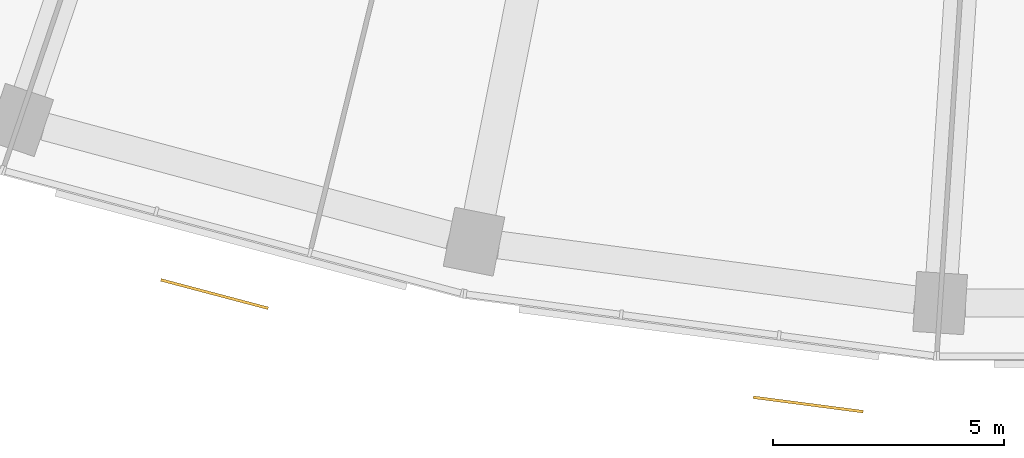
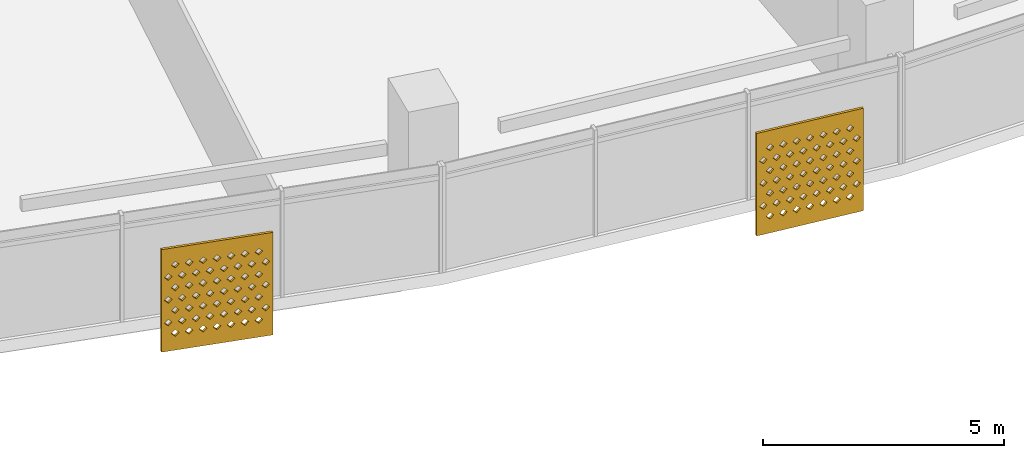
# One storey, part 23 of 26: 2 shading devices.
"""IFC4 building model written with IfcOpenShell, lengths in metres."""

from ifc_helpers import new_model, si_unit, direction, frame, origin, place, context, subcontext, project, spatial, polyline, outline, extrude, material, material_profile, profile_set, type_object, element, save


model = new_model("IFC4")

# Units and contexts
model_context = context("Model", 3, precision=1e-05, world=origin(), true_north=direction((0.0, 1.0)))
body_context = subcontext(model_context, "Body", "Model", "MODEL_VIEW")
ifc_project = project(units=[si_unit("LENGTHUNIT", "METRE"), si_unit("AREAUNIT", "SQUARE_METRE"), si_unit("VOLUMEUNIT", "CUBIC_METRE"), si_unit("PLANEANGLEUNIT", "RADIAN"), si_unit("MASSUNIT", "GRAM", prefix="KILO")], contexts=[model_context])

# Site, building, storey
site_placement = place(None, origin())
site = spatial("IfcSite", under=ifc_project, at=site_placement, CompositionType="ELEMENT")
building_placement = place(site_placement, origin())
building = spatial("IfcBuilding", under=site, at=building_placement, Name="Qamariyya Broadcast Tower", CompositionType="ELEMENT")
storey_placement = place(building_placement, frame((0.0, 0.0, 160.699951171875)))
storey = spatial("IfcBuildingStorey", under=building, at=storey_placement, Name="L37", CompositionType="ELEMENT", Elevation=160.699951171875)

# Shading devices
ifc_material = material(Name="Perforated glazed terracotta", Category="masonry")
ifc_material_profile = material_profile(ifc_material, outline(polyline([(-1.199951171875, -1.300048828125), (1.199951171875, -1.300048828125), (1.199951171875, 1.300048828125), (-1.199951171875, 1.300048828125), (-1.199951171875, -1.300048828125)]), holes=[polyline([(-0.81494140625, -0.86669921875), (-0.89990234375, -0.78173828125), (-0.985107421875, -0.86669921875), (-0.89990234375, -0.95166015625), (-0.81494140625, -0.86669921875)]), polyline([(-0.514892578125, -0.86669921875), (-0.60009765625, -0.78173828125), (-0.68505859375, -0.86669921875), (-0.60009765625, -0.95166015625), (-0.514892578125, -0.86669921875)]), polyline([(-0.215087890625, -0.86669921875), (-0.300048828125, -0.78173828125), (-0.385009765625, -0.86669921875), (-0.300048828125, -0.95166015625), (-0.215087890625, -0.86669921875)]), polyline([(0.0849609375, -0.86669921875), (0.0, -0.78173828125), (-0.0849609375, -0.86669921875), (0.0, -0.95166015625), (0.0849609375, -0.86669921875)]), polyline([(0.385009765625, -0.86669921875), (0.300048828125, -0.78173828125), (0.215087890625, -0.86669921875), (0.300048828125, -0.95166015625), (0.385009765625, -0.86669921875)]), polyline([(0.68505859375, -0.86669921875), (0.60009765625, -0.78173828125), (0.514892578125, -0.86669921875), (0.60009765625, -0.95166015625), (0.68505859375, -0.86669921875)]), polyline([(0.985107421875, -0.86669921875), (0.89990234375, -0.78173828125), (0.81494140625, -0.86669921875), (0.89990234375, -0.95166015625), (0.985107421875, -0.86669921875)]), polyline([(-0.965087890625, -0.577880859375), (-1.050048828125, -0.49267578125), (-1.135009765625, -0.577880859375), (-1.050048828125, -0.662841796875), (-0.965087890625, -0.577880859375)]), polyline([(-0.6650390625, -0.577880859375), (-0.75, -0.49267578125), (-0.8349609375, -0.577880859375), (-0.75, -0.662841796875), (-0.6650390625, -0.577880859375)]), polyline([(-0.364990234375, -0.577880859375), (-0.449951171875, -0.49267578125), (-0.534912109375, -0.577880859375), (-0.449951171875, -0.662841796875), (-0.364990234375, -0.577880859375)]), polyline([(-0.06494140625, -0.577880859375), (-0.14990234375, -0.49267578125), (-0.235107421875, -0.577880859375), (-0.14990234375, -0.662841796875), (-0.06494140625, -0.577880859375)]), polyline([(0.235107421875, -0.577880859375), (0.14990234375, -0.49267578125), (0.06494140625, -0.577880859375), (0.14990234375, -0.662841796875), (0.235107421875, -0.577880859375)]), polyline([(0.534912109375, -0.577880859375), (0.449951171875, -0.49267578125), (0.364990234375, -0.577880859375), (0.449951171875, -0.662841796875), (0.534912109375, -0.577880859375)]), polyline([(0.8349609375, -0.577880859375), (0.75, -0.49267578125), (0.6650390625, -0.577880859375), (0.75, -0.662841796875), (0.8349609375, -0.577880859375)]), polyline([(1.135009765625, -0.577880859375), (1.050048828125, -0.49267578125), (0.965087890625, -0.577880859375), (1.050048828125, -0.662841796875), (1.135009765625, -0.577880859375)]), polyline([(-0.81494140625, -0.288818359375), (-0.89990234375, -0.203857421875), (-0.985107421875, -0.288818359375), (-0.89990234375, -0.373779296875), (-0.81494140625, -0.288818359375)]), polyline([(-0.514892578125, -0.288818359375), (-0.60009765625, -0.203857421875), (-0.68505859375, -0.288818359375), (-0.60009765625, -0.373779296875), (-0.514892578125, -0.288818359375)]), polyline([(-0.215087890625, -0.288818359375), (-0.300048828125, -0.203857421875), (-0.385009765625, -0.288818359375), (-0.300048828125, -0.373779296875), (-0.215087890625, -0.288818359375)]), polyline([(0.0849609375, -0.288818359375), (0.0, -0.203857421875), (-0.0849609375, -0.288818359375), (0.0, -0.373779296875), (0.0849609375, -0.288818359375)]), polyline([(0.385009765625, -0.288818359375), (0.300048828125, -0.203857421875), (0.215087890625, -0.288818359375), (0.300048828125, -0.373779296875), (0.385009765625, -0.288818359375)]), polyline([(0.68505859375, -0.288818359375), (0.60009765625, -0.203857421875), (0.514892578125, -0.288818359375), (0.60009765625, -0.373779296875), (0.68505859375, -0.288818359375)]), polyline([(0.985107421875, -0.288818359375), (0.89990234375, -0.203857421875), (0.81494140625, -0.288818359375), (0.89990234375, -0.373779296875), (0.985107421875, -0.288818359375)]), polyline([(-0.965087890625, 0.0), (-1.050048828125, 0.0849609375), (-1.135009765625, 0.0), (-1.050048828125, -0.0849609375), (-0.965087890625, 0.0)]), polyline([(-0.6650390625, 0.0), (-0.75, 0.0849609375), (-0.8349609375, 0.0), (-0.75, -0.0849609375), (-0.6650390625, 0.0)]), polyline([(-0.364990234375, 0.0), (-0.449951171875, 0.0849609375), (-0.534912109375, 0.0), (-0.449951171875, -0.0849609375), (-0.364990234375, 0.0)]), polyline([(-0.06494140625, 0.0), (-0.14990234375, 0.0849609375), (-0.235107421875, 0.0), (-0.14990234375, -0.0849609375), (-0.06494140625, 0.0)]), polyline([(0.235107421875, 0.0), (0.14990234375, 0.0849609375), (0.06494140625, 0.0), (0.14990234375, -0.0849609375), (0.235107421875, 0.0)]), polyline([(0.534912109375, 0.0), (0.449951171875, 0.0849609375), (0.364990234375, 0.0), (0.449951171875, -0.0849609375), (0.534912109375, 0.0)]), polyline([(0.8349609375, 0.0), (0.75, 0.0849609375), (0.6650390625, 0.0), (0.75, -0.0849609375), (0.8349609375, 0.0)]), polyline([(1.135009765625, 0.0), (1.050048828125, 0.0849609375), (0.965087890625, 0.0), (1.050048828125, -0.0849609375), (1.135009765625, 0.0)]), polyline([(-0.81494140625, 0.288818359375), (-0.89990234375, 0.373779296875), (-0.985107421875, 0.288818359375), (-0.89990234375, 0.203857421875), (-0.81494140625, 0.288818359375)]), polyline([(-0.514892578125, 0.288818359375), (-0.60009765625, 0.373779296875), (-0.68505859375, 0.288818359375), (-0.60009765625, 0.203857421875), (-0.514892578125, 0.288818359375)]), polyline([(-0.215087890625, 0.288818359375), (-0.300048828125, 0.373779296875), (-0.385009765625, 0.288818359375), (-0.300048828125, 0.203857421875), (-0.215087890625, 0.288818359375)]), polyline([(0.0849609375, 0.288818359375), (0.0, 0.373779296875), (-0.0849609375, 0.288818359375), (0.0, 0.203857421875), (0.0849609375, 0.288818359375)]), polyline([(0.385009765625, 0.288818359375), (0.300048828125, 0.373779296875), (0.215087890625, 0.288818359375), (0.300048828125, 0.203857421875), (0.385009765625, 0.288818359375)]), polyline([(0.68505859375, 0.288818359375), (0.60009765625, 0.373779296875), (0.514892578125, 0.288818359375), (0.60009765625, 0.203857421875), (0.68505859375, 0.288818359375)]), polyline([(0.985107421875, 0.288818359375), (0.89990234375, 0.373779296875), (0.81494140625, 0.288818359375), (0.89990234375, 0.203857421875), (0.985107421875, 0.288818359375)]), polyline([(-0.965087890625, 0.577880859375), (-1.050048828125, 0.662841796875), (-1.135009765625, 0.577880859375), (-1.050048828125, 0.49267578125), (-0.965087890625, 0.577880859375)]), polyline([(-0.6650390625, 0.577880859375), (-0.75, 0.662841796875), (-0.8349609375, 0.577880859375), (-0.75, 0.49267578125), (-0.6650390625, 0.577880859375)]), polyline([(-0.364990234375, 0.577880859375), (-0.449951171875, 0.662841796875), (-0.534912109375, 0.577880859375), (-0.449951171875, 0.49267578125), (-0.364990234375, 0.577880859375)]), polyline([(-0.06494140625, 0.577880859375), (-0.14990234375, 0.662841796875), (-0.235107421875, 0.577880859375), (-0.14990234375, 0.49267578125), (-0.06494140625, 0.577880859375)]), polyline([(0.235107421875, 0.577880859375), (0.14990234375, 0.662841796875), (0.06494140625, 0.577880859375), (0.14990234375, 0.49267578125), (0.235107421875, 0.577880859375)]), polyline([(0.534912109375, 0.577880859375), (0.449951171875, 0.662841796875), (0.364990234375, 0.577880859375), (0.449951171875, 0.49267578125), (0.534912109375, 0.577880859375)]), polyline([(0.8349609375, 0.577880859375), (0.75, 0.662841796875), (0.6650390625, 0.577880859375), (0.75, 0.49267578125), (0.8349609375, 0.577880859375)]), polyline([(1.135009765625, 0.577880859375), (1.050048828125, 0.662841796875), (0.965087890625, 0.577880859375), (1.050048828125, 0.49267578125), (1.135009765625, 0.577880859375)]), polyline([(-0.81494140625, 0.86669921875), (-0.89990234375, 0.95166015625), (-0.985107421875, 0.86669921875), (-0.89990234375, 0.78173828125), (-0.81494140625, 0.86669921875)]), polyline([(-0.514892578125, 0.86669921875), (-0.60009765625, 0.95166015625), (-0.68505859375, 0.86669921875), (-0.60009765625, 0.78173828125), (-0.514892578125, 0.86669921875)]), polyline([(-0.215087890625, 0.86669921875), (-0.300048828125, 0.95166015625), (-0.385009765625, 0.86669921875), (-0.300048828125, 0.78173828125), (-0.215087890625, 0.86669921875)]), polyline([(0.0849609375, 0.86669921875), (0.0, 0.95166015625), (-0.0849609375, 0.86669921875), (0.0, 0.78173828125), (0.0849609375, 0.86669921875)]), polyline([(0.385009765625, 0.86669921875), (0.300048828125, 0.95166015625), (0.215087890625, 0.86669921875), (0.300048828125, 0.78173828125), (0.385009765625, 0.86669921875)]), polyline([(0.68505859375, 0.86669921875), (0.60009765625, 0.95166015625), (0.514892578125, 0.86669921875), (0.60009765625, 0.78173828125), (0.68505859375, 0.86669921875)]), polyline([(0.985107421875, 0.86669921875), (0.89990234375, 0.95166015625), (0.81494140625, 0.86669921875), (0.89990234375, 0.78173828125), (0.985107421875, 0.86669921875)])]))
ifc_profile_set = profile_set([ifc_material_profile], Name="Perforated glazed terracotta")
shading_device_type = type_object("IfcShadingDeviceType", Name="Perforated terracotta screen 2400 x 2600", PredefinedType="USERDEFINED", material=ifc_profile_set)
shading_device_1_placement = place(storey_placement, frame((-20.77197265625, -77.360595703125, 1.35009765625), z_axis=(-0.255892560316, -0.966705227862, 0.0), x_axis=(0.966705227862, -0.255892560316, 0.0)))
element("IfcShadingDevice", 1, at=shading_device_1_placement, inside=storey, type_object=shading_device_type, Name="e-scr-L37-05-1", ObjectType="SCREEN", PredefinedType="USERDEFINED", context=body_context, shape_type="SweptSolid", body=[
    extrude(outline(polyline([(-1.199951171875, -1.300048828125), (1.199951171875, -1.300048828125), (1.199951171875, 1.300048828125), (-1.199951171875, 1.300048828125), (-1.199951171875, -1.300048828125)]), holes=[polyline([(-0.81494140625, -0.86669921875), (-0.89990234375, -0.78173828125), (-0.985107421875, -0.86669921875), (-0.89990234375, -0.95166015625), (-0.81494140625, -0.86669921875)]), polyline([(-0.514892578125, -0.86669921875), (-0.60009765625, -0.78173828125), (-0.68505859375, -0.86669921875), (-0.60009765625, -0.95166015625), (-0.514892578125, -0.86669921875)]), polyline([(-0.215087890625, -0.86669921875), (-0.300048828125, -0.78173828125), (-0.385009765625, -0.86669921875), (-0.300048828125, -0.95166015625), (-0.215087890625, -0.86669921875)]), polyline([(0.0849609375, -0.86669921875), (0.0, -0.78173828125), (-0.0849609375, -0.86669921875), (0.0, -0.95166015625), (0.0849609375, -0.86669921875)]), polyline([(0.385009765625, -0.86669921875), (0.300048828125, -0.78173828125), (0.215087890625, -0.86669921875), (0.300048828125, -0.95166015625), (0.385009765625, -0.86669921875)]), polyline([(0.68505859375, -0.86669921875), (0.60009765625, -0.78173828125), (0.514892578125, -0.86669921875), (0.60009765625, -0.95166015625), (0.68505859375, -0.86669921875)]), polyline([(0.985107421875, -0.86669921875), (0.89990234375, -0.78173828125), (0.81494140625, -0.86669921875), (0.89990234375, -0.95166015625), (0.985107421875, -0.86669921875)]), polyline([(-0.965087890625, -0.577880859375), (-1.050048828125, -0.49267578125), (-1.135009765625, -0.577880859375), (-1.050048828125, -0.662841796875), (-0.965087890625, -0.577880859375)]), polyline([(-0.6650390625, -0.577880859375), (-0.75, -0.49267578125), (-0.8349609375, -0.577880859375), (-0.75, -0.662841796875), (-0.6650390625, -0.577880859375)]), polyline([(-0.364990234375, -0.577880859375), (-0.449951171875, -0.49267578125), (-0.534912109375, -0.577880859375), (-0.449951171875, -0.662841796875), (-0.364990234375, -0.577880859375)]), polyline([(-0.06494140625, -0.577880859375), (-0.14990234375, -0.49267578125), (-0.235107421875, -0.577880859375), (-0.14990234375, -0.662841796875), (-0.06494140625, -0.577880859375)]), polyline([(0.235107421875, -0.577880859375), (0.14990234375, -0.49267578125), (0.06494140625, -0.577880859375), (0.14990234375, -0.662841796875), (0.235107421875, -0.577880859375)]), polyline([(0.534912109375, -0.577880859375), (0.449951171875, -0.49267578125), (0.364990234375, -0.577880859375), (0.449951171875, -0.662841796875), (0.534912109375, -0.577880859375)]), polyline([(0.8349609375, -0.577880859375), (0.75, -0.49267578125), (0.6650390625, -0.577880859375), (0.75, -0.662841796875), (0.8349609375, -0.577880859375)]), polyline([(1.135009765625, -0.577880859375), (1.050048828125, -0.49267578125), (0.965087890625, -0.577880859375), (1.050048828125, -0.662841796875), (1.135009765625, -0.577880859375)]), polyline([(-0.81494140625, -0.288818359375), (-0.89990234375, -0.203857421875), (-0.985107421875, -0.288818359375), (-0.89990234375, -0.373779296875), (-0.81494140625, -0.288818359375)]), polyline([(-0.514892578125, -0.288818359375), (-0.60009765625, -0.203857421875), (-0.68505859375, -0.288818359375), (-0.60009765625, -0.373779296875), (-0.514892578125, -0.288818359375)]), polyline([(-0.215087890625, -0.288818359375), (-0.300048828125, -0.203857421875), (-0.385009765625, -0.288818359375), (-0.300048828125, -0.373779296875), (-0.215087890625, -0.288818359375)]), polyline([(0.0849609375, -0.288818359375), (0.0, -0.203857421875), (-0.0849609375, -0.288818359375), (0.0, -0.373779296875), (0.0849609375, -0.288818359375)]), polyline([(0.385009765625, -0.288818359375), (0.300048828125, -0.203857421875), (0.215087890625, -0.288818359375), (0.300048828125, -0.373779296875), (0.385009765625, -0.288818359375)]), polyline([(0.68505859375, -0.288818359375), (0.60009765625, -0.203857421875), (0.514892578125, -0.288818359375), (0.60009765625, -0.373779296875), (0.68505859375, -0.288818359375)]), polyline([(0.985107421875, -0.288818359375), (0.89990234375, -0.203857421875), (0.81494140625, -0.288818359375), (0.89990234375, -0.373779296875), (0.985107421875, -0.288818359375)]), polyline([(-0.965087890625, 0.0), (-1.050048828125, 0.0849609375), (-1.135009765625, 0.0), (-1.050048828125, -0.0849609375), (-0.965087890625, 0.0)]), polyline([(-0.6650390625, 0.0), (-0.75, 0.0849609375), (-0.8349609375, 0.0), (-0.75, -0.0849609375), (-0.6650390625, 0.0)]), polyline([(-0.364990234375, 0.0), (-0.449951171875, 0.0849609375), (-0.534912109375, 0.0), (-0.449951171875, -0.0849609375), (-0.364990234375, 0.0)]), polyline([(-0.06494140625, 0.0), (-0.14990234375, 0.0849609375), (-0.235107421875, 0.0), (-0.14990234375, -0.0849609375), (-0.06494140625, 0.0)]), polyline([(0.235107421875, 0.0), (0.14990234375, 0.0849609375), (0.06494140625, 0.0), (0.14990234375, -0.0849609375), (0.235107421875, 0.0)]), polyline([(0.534912109375, 0.0), (0.449951171875, 0.0849609375), (0.364990234375, 0.0), (0.449951171875, -0.0849609375), (0.534912109375, 0.0)]), polyline([(0.8349609375, 0.0), (0.75, 0.0849609375), (0.6650390625, 0.0), (0.75, -0.0849609375), (0.8349609375, 0.0)]), polyline([(1.135009765625, 0.0), (1.050048828125, 0.0849609375), (0.965087890625, 0.0), (1.050048828125, -0.0849609375), (1.135009765625, 0.0)]), polyline([(-0.81494140625, 0.288818359375), (-0.89990234375, 0.373779296875), (-0.985107421875, 0.288818359375), (-0.89990234375, 0.203857421875), (-0.81494140625, 0.288818359375)]), polyline([(-0.514892578125, 0.288818359375), (-0.60009765625, 0.373779296875), (-0.68505859375, 0.288818359375), (-0.60009765625, 0.203857421875), (-0.514892578125, 0.288818359375)]), polyline([(-0.215087890625, 0.288818359375), (-0.300048828125, 0.373779296875), (-0.385009765625, 0.288818359375), (-0.300048828125, 0.203857421875), (-0.215087890625, 0.288818359375)]), polyline([(0.0849609375, 0.288818359375), (0.0, 0.373779296875), (-0.0849609375, 0.288818359375), (0.0, 0.203857421875), (0.0849609375, 0.288818359375)]), polyline([(0.385009765625, 0.288818359375), (0.300048828125, 0.373779296875), (0.215087890625, 0.288818359375), (0.300048828125, 0.203857421875), (0.385009765625, 0.288818359375)]), polyline([(0.68505859375, 0.288818359375), (0.60009765625, 0.373779296875), (0.514892578125, 0.288818359375), (0.60009765625, 0.203857421875), (0.68505859375, 0.288818359375)]), polyline([(0.985107421875, 0.288818359375), (0.89990234375, 0.373779296875), (0.81494140625, 0.288818359375), (0.89990234375, 0.203857421875), (0.985107421875, 0.288818359375)]), polyline([(-0.965087890625, 0.577880859375), (-1.050048828125, 0.662841796875), (-1.135009765625, 0.577880859375), (-1.050048828125, 0.49267578125), (-0.965087890625, 0.577880859375)]), polyline([(-0.6650390625, 0.577880859375), (-0.75, 0.662841796875), (-0.8349609375, 0.577880859375), (-0.75, 0.49267578125), (-0.6650390625, 0.577880859375)]), polyline([(-0.364990234375, 0.577880859375), (-0.449951171875, 0.662841796875), (-0.534912109375, 0.577880859375), (-0.449951171875, 0.49267578125), (-0.364990234375, 0.577880859375)]), polyline([(-0.06494140625, 0.577880859375), (-0.14990234375, 0.662841796875), (-0.235107421875, 0.577880859375), (-0.14990234375, 0.49267578125), (-0.06494140625, 0.577880859375)]), polyline([(0.235107421875, 0.577880859375), (0.14990234375, 0.662841796875), (0.06494140625, 0.577880859375), (0.14990234375, 0.49267578125), (0.235107421875, 0.577880859375)]), polyline([(0.534912109375, 0.577880859375), (0.449951171875, 0.662841796875), (0.364990234375, 0.577880859375), (0.449951171875, 0.49267578125), (0.534912109375, 0.577880859375)]), polyline([(0.8349609375, 0.577880859375), (0.75, 0.662841796875), (0.6650390625, 0.577880859375), (0.75, 0.49267578125), (0.8349609375, 0.577880859375)]), polyline([(1.135009765625, 0.577880859375), (1.050048828125, 0.662841796875), (0.965087890625, 0.577880859375), (1.050048828125, 0.49267578125), (1.135009765625, 0.577880859375)]), polyline([(-0.81494140625, 0.86669921875), (-0.89990234375, 0.95166015625), (-0.985107421875, 0.86669921875), (-0.89990234375, 0.78173828125), (-0.81494140625, 0.86669921875)]), polyline([(-0.514892578125, 0.86669921875), (-0.60009765625, 0.95166015625), (-0.68505859375, 0.86669921875), (-0.60009765625, 0.78173828125), (-0.514892578125, 0.86669921875)]), polyline([(-0.215087890625, 0.86669921875), (-0.300048828125, 0.95166015625), (-0.385009765625, 0.86669921875), (-0.300048828125, 0.78173828125), (-0.215087890625, 0.86669921875)]), polyline([(0.0849609375, 0.86669921875), (0.0, 0.95166015625), (-0.0849609375, 0.86669921875), (0.0, 0.78173828125), (0.0849609375, 0.86669921875)]), polyline([(0.385009765625, 0.86669921875), (0.300048828125, 0.95166015625), (0.215087890625, 0.86669921875), (0.300048828125, 0.78173828125), (0.385009765625, 0.86669921875)]), polyline([(0.68505859375, 0.86669921875), (0.60009765625, 0.95166015625), (0.514892578125, 0.86669921875), (0.60009765625, 0.78173828125), (0.68505859375, 0.86669921875)]), polyline([(0.985107421875, 0.86669921875), (0.89990234375, 0.95166015625), (0.81494140625, 0.86669921875), (0.89990234375, 0.78173828125), (0.985107421875, 0.86669921875)])]), origin(), (0.0, 0.0, 1.0), 0.06005859375),
])
shading_device_2_placement = place(storey_placement, frame((-7.935302734375, -79.747314453125, 1.35009765625), z_axis=(-0.1300340368, -0.991509530601, 0.0), x_axis=(0.991509530601, -0.1300340368, 0.0)))
element("IfcShadingDevice", 2, at=shading_device_2_placement, inside=storey, type_object=shading_device_type, Name="e-scr-L37-06-2", ObjectType="SCREEN", PredefinedType="USERDEFINED", context=body_context, shape_type="SweptSolid", body=[
    extrude(outline(polyline([(-1.199951171875, -1.300048828125), (1.199951171875, -1.300048828125), (1.199951171875, 1.300048828125), (-1.199951171875, 1.300048828125), (-1.199951171875, -1.300048828125)]), holes=[polyline([(-0.81494140625, -0.86669921875), (-0.89990234375, -0.78173828125), (-0.985107421875, -0.86669921875), (-0.89990234375, -0.95166015625), (-0.81494140625, -0.86669921875)]), polyline([(-0.514892578125, -0.86669921875), (-0.60009765625, -0.78173828125), (-0.68505859375, -0.86669921875), (-0.60009765625, -0.95166015625), (-0.514892578125, -0.86669921875)]), polyline([(-0.215087890625, -0.86669921875), (-0.300048828125, -0.78173828125), (-0.385009765625, -0.86669921875), (-0.300048828125, -0.95166015625), (-0.215087890625, -0.86669921875)]), polyline([(0.0849609375, -0.86669921875), (0.0, -0.78173828125), (-0.0849609375, -0.86669921875), (0.0, -0.95166015625), (0.0849609375, -0.86669921875)]), polyline([(0.385009765625, -0.86669921875), (0.300048828125, -0.78173828125), (0.215087890625, -0.86669921875), (0.300048828125, -0.95166015625), (0.385009765625, -0.86669921875)]), polyline([(0.68505859375, -0.86669921875), (0.60009765625, -0.78173828125), (0.514892578125, -0.86669921875), (0.60009765625, -0.95166015625), (0.68505859375, -0.86669921875)]), polyline([(0.985107421875, -0.86669921875), (0.89990234375, -0.78173828125), (0.81494140625, -0.86669921875), (0.89990234375, -0.95166015625), (0.985107421875, -0.86669921875)]), polyline([(-0.965087890625, -0.577880859375), (-1.050048828125, -0.49267578125), (-1.135009765625, -0.577880859375), (-1.050048828125, -0.662841796875), (-0.965087890625, -0.577880859375)]), polyline([(-0.6650390625, -0.577880859375), (-0.75, -0.49267578125), (-0.8349609375, -0.577880859375), (-0.75, -0.662841796875), (-0.6650390625, -0.577880859375)]), polyline([(-0.364990234375, -0.577880859375), (-0.449951171875, -0.49267578125), (-0.534912109375, -0.577880859375), (-0.449951171875, -0.662841796875), (-0.364990234375, -0.577880859375)]), polyline([(-0.06494140625, -0.577880859375), (-0.14990234375, -0.49267578125), (-0.235107421875, -0.577880859375), (-0.14990234375, -0.662841796875), (-0.06494140625, -0.577880859375)]), polyline([(0.235107421875, -0.577880859375), (0.14990234375, -0.49267578125), (0.06494140625, -0.577880859375), (0.14990234375, -0.662841796875), (0.235107421875, -0.577880859375)]), polyline([(0.534912109375, -0.577880859375), (0.449951171875, -0.49267578125), (0.364990234375, -0.577880859375), (0.449951171875, -0.662841796875), (0.534912109375, -0.577880859375)]), polyline([(0.8349609375, -0.577880859375), (0.75, -0.49267578125), (0.6650390625, -0.577880859375), (0.75, -0.662841796875), (0.8349609375, -0.577880859375)]), polyline([(1.135009765625, -0.577880859375), (1.050048828125, -0.49267578125), (0.965087890625, -0.577880859375), (1.050048828125, -0.662841796875), (1.135009765625, -0.577880859375)]), polyline([(-0.81494140625, -0.288818359375), (-0.89990234375, -0.203857421875), (-0.985107421875, -0.288818359375), (-0.89990234375, -0.373779296875), (-0.81494140625, -0.288818359375)]), polyline([(-0.514892578125, -0.288818359375), (-0.60009765625, -0.203857421875), (-0.68505859375, -0.288818359375), (-0.60009765625, -0.373779296875), (-0.514892578125, -0.288818359375)]), polyline([(-0.215087890625, -0.288818359375), (-0.300048828125, -0.203857421875), (-0.385009765625, -0.288818359375), (-0.300048828125, -0.373779296875), (-0.215087890625, -0.288818359375)]), polyline([(0.0849609375, -0.288818359375), (0.0, -0.203857421875), (-0.0849609375, -0.288818359375), (0.0, -0.373779296875), (0.0849609375, -0.288818359375)]), polyline([(0.385009765625, -0.288818359375), (0.300048828125, -0.203857421875), (0.215087890625, -0.288818359375), (0.300048828125, -0.373779296875), (0.385009765625, -0.288818359375)]), polyline([(0.68505859375, -0.288818359375), (0.60009765625, -0.203857421875), (0.514892578125, -0.288818359375), (0.60009765625, -0.373779296875), (0.68505859375, -0.288818359375)]), polyline([(0.985107421875, -0.288818359375), (0.89990234375, -0.203857421875), (0.81494140625, -0.288818359375), (0.89990234375, -0.373779296875), (0.985107421875, -0.288818359375)]), polyline([(-0.965087890625, 0.0), (-1.050048828125, 0.0849609375), (-1.135009765625, 0.0), (-1.050048828125, -0.0849609375), (-0.965087890625, 0.0)]), polyline([(-0.6650390625, 0.0), (-0.75, 0.0849609375), (-0.8349609375, 0.0), (-0.75, -0.0849609375), (-0.6650390625, 0.0)]), polyline([(-0.364990234375, 0.0), (-0.449951171875, 0.0849609375), (-0.534912109375, 0.0), (-0.449951171875, -0.0849609375), (-0.364990234375, 0.0)]), polyline([(-0.06494140625, 0.0), (-0.14990234375, 0.0849609375), (-0.235107421875, 0.0), (-0.14990234375, -0.0849609375), (-0.06494140625, 0.0)]), polyline([(0.235107421875, 0.0), (0.14990234375, 0.0849609375), (0.06494140625, 0.0), (0.14990234375, -0.0849609375), (0.235107421875, 0.0)]), polyline([(0.534912109375, 0.0), (0.449951171875, 0.0849609375), (0.364990234375, 0.0), (0.449951171875, -0.0849609375), (0.534912109375, 0.0)]), polyline([(0.8349609375, 0.0), (0.75, 0.0849609375), (0.6650390625, 0.0), (0.75, -0.0849609375), (0.8349609375, 0.0)]), polyline([(1.135009765625, 0.0), (1.050048828125, 0.0849609375), (0.965087890625, 0.0), (1.050048828125, -0.0849609375), (1.135009765625, 0.0)]), polyline([(-0.81494140625, 0.288818359375), (-0.89990234375, 0.373779296875), (-0.985107421875, 0.288818359375), (-0.89990234375, 0.203857421875), (-0.81494140625, 0.288818359375)]), polyline([(-0.514892578125, 0.288818359375), (-0.60009765625, 0.373779296875), (-0.68505859375, 0.288818359375), (-0.60009765625, 0.203857421875), (-0.514892578125, 0.288818359375)]), polyline([(-0.215087890625, 0.288818359375), (-0.300048828125, 0.373779296875), (-0.385009765625, 0.288818359375), (-0.300048828125, 0.203857421875), (-0.215087890625, 0.288818359375)]), polyline([(0.0849609375, 0.288818359375), (0.0, 0.373779296875), (-0.0849609375, 0.288818359375), (0.0, 0.203857421875), (0.0849609375, 0.288818359375)]), polyline([(0.385009765625, 0.288818359375), (0.300048828125, 0.373779296875), (0.215087890625, 0.288818359375), (0.300048828125, 0.203857421875), (0.385009765625, 0.288818359375)]), polyline([(0.68505859375, 0.288818359375), (0.60009765625, 0.373779296875), (0.514892578125, 0.288818359375), (0.60009765625, 0.203857421875), (0.68505859375, 0.288818359375)]), polyline([(0.985107421875, 0.288818359375), (0.89990234375, 0.373779296875), (0.81494140625, 0.288818359375), (0.89990234375, 0.203857421875), (0.985107421875, 0.288818359375)]), polyline([(-0.965087890625, 0.577880859375), (-1.050048828125, 0.662841796875), (-1.135009765625, 0.577880859375), (-1.050048828125, 0.49267578125), (-0.965087890625, 0.577880859375)]), polyline([(-0.6650390625, 0.577880859375), (-0.75, 0.662841796875), (-0.8349609375, 0.577880859375), (-0.75, 0.49267578125), (-0.6650390625, 0.577880859375)]), polyline([(-0.364990234375, 0.577880859375), (-0.449951171875, 0.662841796875), (-0.534912109375, 0.577880859375), (-0.449951171875, 0.49267578125), (-0.364990234375, 0.577880859375)]), polyline([(-0.06494140625, 0.577880859375), (-0.14990234375, 0.662841796875), (-0.235107421875, 0.577880859375), (-0.14990234375, 0.49267578125), (-0.06494140625, 0.577880859375)]), polyline([(0.235107421875, 0.577880859375), (0.14990234375, 0.662841796875), (0.06494140625, 0.577880859375), (0.14990234375, 0.49267578125), (0.235107421875, 0.577880859375)]), polyline([(0.534912109375, 0.577880859375), (0.449951171875, 0.662841796875), (0.364990234375, 0.577880859375), (0.449951171875, 0.49267578125), (0.534912109375, 0.577880859375)]), polyline([(0.8349609375, 0.577880859375), (0.75, 0.662841796875), (0.6650390625, 0.577880859375), (0.75, 0.49267578125), (0.8349609375, 0.577880859375)]), polyline([(1.135009765625, 0.577880859375), (1.050048828125, 0.662841796875), (0.965087890625, 0.577880859375), (1.050048828125, 0.49267578125), (1.135009765625, 0.577880859375)]), polyline([(-0.81494140625, 0.86669921875), (-0.89990234375, 0.95166015625), (-0.985107421875, 0.86669921875), (-0.89990234375, 0.78173828125), (-0.81494140625, 0.86669921875)]), polyline([(-0.514892578125, 0.86669921875), (-0.60009765625, 0.95166015625), (-0.68505859375, 0.86669921875), (-0.60009765625, 0.78173828125), (-0.514892578125, 0.86669921875)]), polyline([(-0.215087890625, 0.86669921875), (-0.300048828125, 0.95166015625), (-0.385009765625, 0.86669921875), (-0.300048828125, 0.78173828125), (-0.215087890625, 0.86669921875)]), polyline([(0.0849609375, 0.86669921875), (0.0, 0.95166015625), (-0.0849609375, 0.86669921875), (0.0, 0.78173828125), (0.0849609375, 0.86669921875)]), polyline([(0.385009765625, 0.86669921875), (0.300048828125, 0.95166015625), (0.215087890625, 0.86669921875), (0.300048828125, 0.78173828125), (0.385009765625, 0.86669921875)]), polyline([(0.68505859375, 0.86669921875), (0.60009765625, 0.95166015625), (0.514892578125, 0.86669921875), (0.60009765625, 0.78173828125), (0.68505859375, 0.86669921875)]), polyline([(0.985107421875, 0.86669921875), (0.89990234375, 0.95166015625), (0.81494140625, 0.86669921875), (0.89990234375, 0.78173828125), (0.985107421875, 0.86669921875)])]), origin(), (0.0, 0.0, 1.0), 0.06005859375),
])

save(model, "model.ifc")
